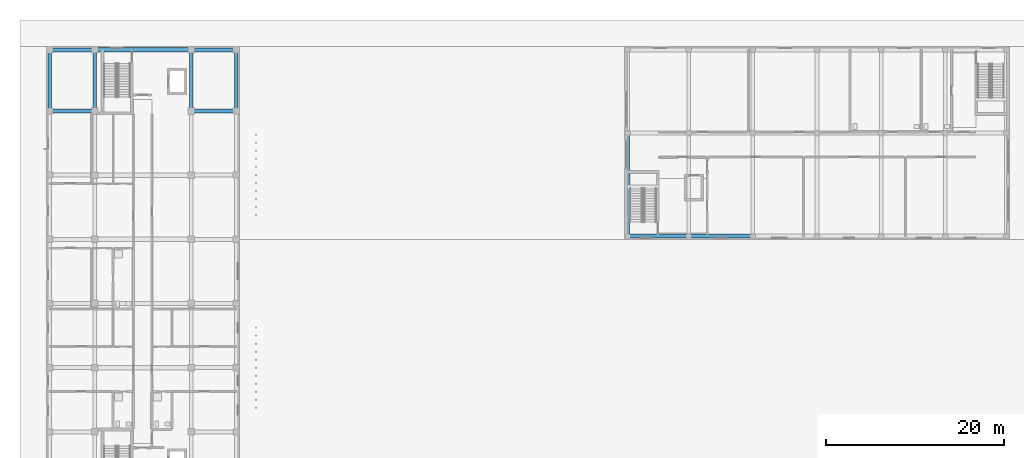
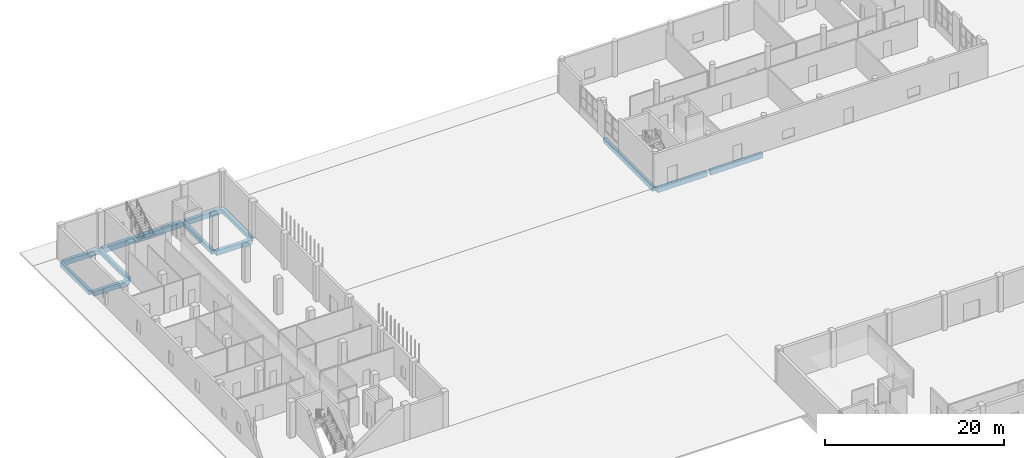
# One storey, part 20 of 85: 12 beams.
"""IFC4 building model written with IfcOpenShell, lengths in metres."""

from ifc_helpers import new_model, si_unit, derived_unit, direction, frame, origin, origin_2d, place, context, subcontext, project, spatial, rectangle, extrude, material, material_profile, profile_set, type_object, element, save


model = new_model("IFC4")

# Units and contexts
model_context = context("Model", 3, precision=1e-05, world=origin(), true_north=direction((0.0, 1.0)))
body_context = subcontext(model_context, "Body", "Model", "MODEL_VIEW")
ifc_project = project(units=[si_unit("LENGTHUNIT", "METRE"), si_unit("AREAUNIT", "SQUARE_METRE"), si_unit("VOLUMEUNIT", "CUBIC_METRE"), si_unit("PLANEANGLEUNIT", "RADIAN"), si_unit("MASSUNIT", "GRAM", prefix="KILO"), derived_unit("THERMALTRANSMITTANCEUNIT", [(si_unit("MASSUNIT", "GRAM", prefix="KILO"), 1), (si_unit("TIMEUNIT", "SECOND"), -3), (si_unit("THERMODYNAMICTEMPERATUREUNIT", "KELVIN"), -1)])], contexts=[model_context])

# Site, building, storey
site_placement = place(None, origin())
site = spatial("IfcSite", under=ifc_project, at=site_placement, CompositionType="ELEMENT")
building_placement = place(site_placement, origin())
building = spatial("IfcBuilding", under=site, at=building_placement, Name="Ochrekiln Boulevard Commons", CompositionType="ELEMENT")
storey_placement = place(building_placement, origin())
storey = spatial("IfcBuildingStorey", under=building, at=storey_placement, Name="L00", CompositionType="ELEMENT", Elevation=0.0)

# Beams
ifc_material_1 = material(Name="Concrete C35/45", Category="concrete")
ifc_material_profile_1 = material_profile(ifc_material_1, rectangle(XDim=0.39990234375, YDim=0.60009765625, at=origin_2d()), Name="RC-BM-400x600")
ifc_profile_set_1 = profile_set([ifc_material_profile_1], Name="Concrete C35/45")
beam_type_1 = type_object("IfcBeamType", Name="BM-RC-400x600", PredefinedType="BEAM", material=ifc_profile_set_1)
for number, where, z_axis, x_axis, name in (
    (1, (0.35009765625, 111.81005859375, -0.580078125), (0.0, 1.0, 0.0), (-1.0, 0.0, 0.0), "Block A L00 Beam B-4060 Y29"),
    (2, (5.39990234375, 111.81005859375, -0.580078125), (0.0, 1.0, 0.0), (-1.0, 0.0, 0.0), "Block A L00 Beam B-4060 Y36"),
    (3, (16.199951171875, 111.81005859375, -0.580078125), (0.0, 1.0, 0.0), (-1.0, 0.0, 0.0), "Block A L00 Beam B-4060 Y43"),
    (4, (21.25, 111.81005859375, -0.580078125), (0.0, 1.0, 0.0), (-1.0, 0.0, 0.0), "Block A L00 Beam B-4060 Y50"),
):
    element("IfcBeam", number, at=place(storey_placement, frame(where, z_axis=z_axis, x_axis=x_axis)), inside=storey, type_object=beam_type_1, Name=name, PredefinedType="BEAM", context=body_context, shape_type="SweptSolid", body=[
        extrude(rectangle(XDim=0.39990234375, YDim=0.60009765625, at=origin_2d()), origin(), (0.0, 0.0, 1.0), 6.429931640625),
    ])
beam_1_placement = place(storey_placement, frame((65.14990234375, 97.760009765625, -0.580078125), z_axis=(0.0, 1.0, 0.0), x_axis=(-1.0, 0.0, 0.0)))
element("IfcBeam", 5, at=beam_1_placement, inside=storey, type_object=beam_type_1, Name="Nursery Pavilion L00 Beam B-4060 Y19", PredefinedType="BEAM", context=body_context, shape_type="SweptSolid", body=[
    extrude(rectangle(XDim=0.39990234375, YDim=0.60009765625, at=origin_2d()), origin(), (0.0, 0.0, 1.0), 11.1298828125),
])
ifc_material_profile_2 = material_profile(ifc_material_1, rectangle(XDim=0.449951171875, YDim=0.64990234375, at=origin_2d()), Name="RC-BM-450x650")
ifc_profile_set_2 = profile_set([ifc_material_profile_2], Name="Concrete C35/45")
beam_type_2 = type_object("IfcBeamType", Name="BM-RC-450x650", PredefinedType="BEAM", material=ifc_profile_set_2)
beam_2_placement = place(storey_placement, frame((0.56005859375, 111.60009765625, -0.60498046875), z_axis=(1.0, 0.0, 0.0), x_axis=(0.0, 1.0, 0.0)))
element("IfcBeam", 6, at=beam_2_placement, inside=storey, type_object=beam_type_2, Name="Block A L00 Beam B-4565 X18", PredefinedType="BEAM", context=body_context, shape_type="SweptSolid", body=[
    extrude(rectangle(XDim=0.449951171875, YDim=0.64990234375, at=origin_2d()), origin(), (0.0, 0.0, 1.0), 4.6298828125),
])
beam_3_placement = place(storey_placement, frame((16.409912109375, 111.60009765625, -0.60498046875), z_axis=(1.0, 0.0, 0.0), x_axis=(0.0, 1.0, 0.0)))
element("IfcBeam", 7, at=beam_3_placement, inside=storey, type_object=beam_type_2, Name="Block A L00 Beam B-4565 X19", PredefinedType="BEAM", context=body_context, shape_type="SweptSolid", body=[
    extrude(rectangle(XDim=0.449951171875, YDim=0.64990234375, at=origin_2d()), origin(), (0.0, 0.0, 1.0), 4.630126953125),
])
beam_4_placement = place(storey_placement, frame((0.56005859375, 118.449951171875, -0.60498046875), z_axis=(1.0, 0.0, 0.0), x_axis=(0.0, 1.0, 0.0)))
element("IfcBeam", 8, at=beam_4_placement, inside=storey, type_object=beam_type_2, Name="Block A L00 Beam B-4565 X20", PredefinedType="BEAM", context=body_context, shape_type="SweptSolid", body=[
    extrude(rectangle(XDim=0.449951171875, YDim=0.64990234375, at=origin_2d()), origin(), (0.0, 0.0, 1.0), 4.6298828125),
])
beam_5_placement = place(storey_placement, frame((16.409912109375, 118.449951171875, -0.60498046875), z_axis=(1.0, 0.0, 0.0), x_axis=(0.0, 1.0, 0.0)))
element("IfcBeam", 9, at=beam_5_placement, inside=storey, type_object=beam_type_2, Name="Block A L00 Beam B-4565 X22", PredefinedType="BEAM", context=body_context, shape_type="SweptSolid", body=[
    extrude(rectangle(XDim=0.449951171875, YDim=0.64990234375, at=origin_2d()), origin(), (0.0, 0.0, 1.0), 4.630126953125),
])
beam_6_placement = place(storey_placement, frame((65.360107421875, 97.550048828125, -0.60498046875), z_axis=(1.0, 0.0, 0.0), x_axis=(0.0, 1.0, 0.0)))
element("IfcBeam", 10, at=beam_6_placement, inside=storey, type_object=beam_type_2, Name="Nursery Pavilion L00 Beam B-4565 X1", PredefinedType="BEAM", context=body_context, shape_type="SweptSolid", body=[
    extrude(rectangle(XDim=0.449951171875, YDim=0.64990234375, at=origin_2d()), origin(), (0.0, 0.0, 1.0), 6.429931640625),
])
beam_7_placement = place(storey_placement, frame((72.2099609375, 97.550048828125, -0.60498046875), z_axis=(1.0, 0.0, 0.0), x_axis=(0.0, 1.0, 0.0)))
element("IfcBeam", 11, at=beam_7_placement, inside=storey, type_object=beam_type_2, Name="Nursery Pavilion L00 Beam B-4565 X2", PredefinedType="BEAM", context=body_context, shape_type="SweptSolid", body=[
    extrude(rectangle(XDim=0.449951171875, YDim=0.64990234375, at=origin_2d()), origin(), (0.0, 0.0, 1.0), 6.780029296875),
])
ifc_material_2 = material(Name="Concrete C40/50", Category="concrete")
ifc_material_profile_3 = material_profile(ifc_material_2, rectangle(XDim=0.5, YDim=0.699951171875, at=origin_2d()), Name="RC-BM-500x700")
ifc_profile_set_3 = profile_set([ifc_material_profile_3], Name="Concrete C40/50")
beam_type_3 = type_object("IfcBeamType", Name="BM-RC-500x700", PredefinedType="BEAM", material=ifc_profile_set_3)
beam_8_placement = place(storey_placement, frame((5.610107421875, 118.449951171875, -0.6298828125), z_axis=(1.0, 0.0, 0.0), x_axis=(0.0, 1.0, 0.0)))
element("IfcBeam", 12, at=beam_8_placement, inside=storey, type_object=beam_type_3, Name="Block A L00 Beam B-5070 X21", PredefinedType="BEAM", context=body_context, shape_type="SweptSolid", body=[
    extrude(rectangle(XDim=0.5, YDim=0.699951171875, at=origin_2d()), origin(), (0.0, 0.0, 1.0), 10.3798828125),
])

save(model, "model.ifc")
